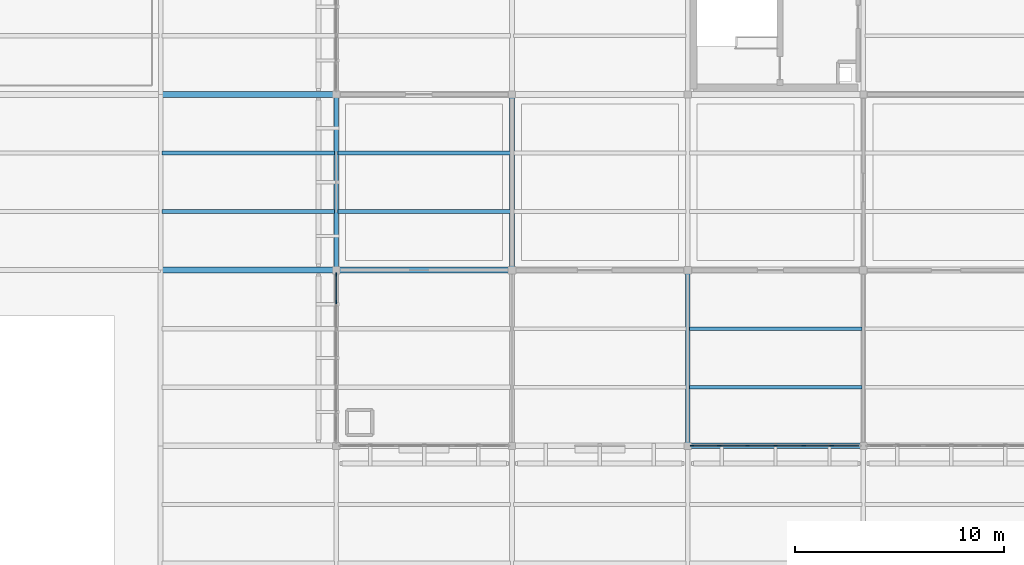
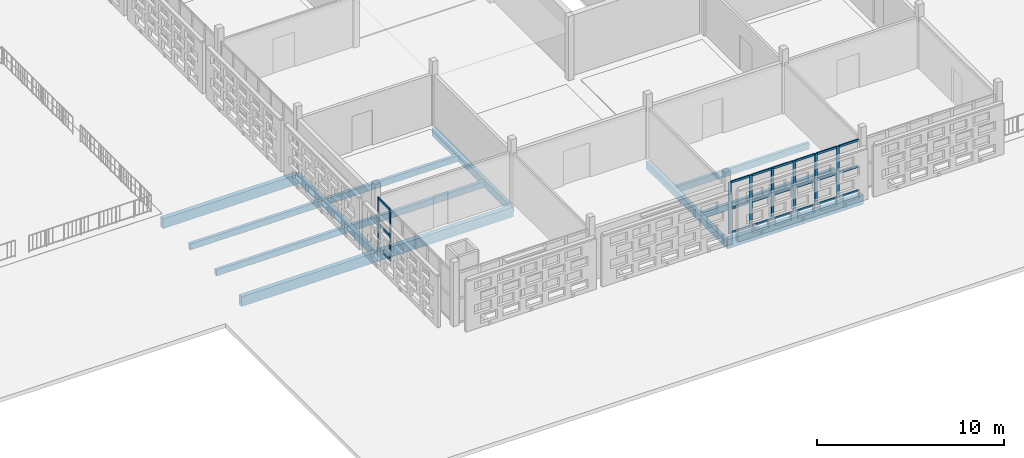
# One storey, part 57 of 166: 29 members, 13 beams, 2 elements without a shape of their own.
"""IFC4 building model written with IfcOpenShell, lengths in metres."""

from ifc_helpers import new_model, si_unit, direction, frame, origin, origin_2d, place, context, subcontext, project, spatial, rectangle, extrude, material, layer, layer_set, material_profile, profile_set, type_object, element, aggregate, save


model = new_model("IFC4")

# Units and contexts
model_context = context("Model", 3, precision=1e-05, world=origin(), true_north=direction((0.0, 1.0)))
body_context = subcontext(model_context, "Body", "Model", "MODEL_VIEW")
ifc_project = project(units=[si_unit("LENGTHUNIT", "METRE"), si_unit("AREAUNIT", "SQUARE_METRE"), si_unit("VOLUMEUNIT", "CUBIC_METRE"), si_unit("PLANEANGLEUNIT", "RADIAN"), si_unit("MASSUNIT", "GRAM", prefix="KILO")], contexts=[model_context])

# Site, building, storey
site_placement = place(None, origin())
site = spatial("IfcSite", under=ifc_project, at=site_placement, CompositionType="ELEMENT")
building_placement = place(site_placement, origin())
building = spatial("IfcBuilding", under=site, at=building_placement, Name="Varnapada Polytechnic", CompositionType="ELEMENT")
storey_placement = place(building_placement, frame((0.0, 0.0, 9.60009765625)))
storey = spatial("IfcBuildingStorey", under=building, at=storey_placement, Name="L02", CompositionType="ELEMENT", Elevation=9.60009765625)

# Beams
ifc_material_1 = material(Name="Glulam GL32h", Category="wood")
ifc_material_profile_1 = material_profile(ifc_material_1, rectangle(XDim=0.280029296875, YDim=0.639892578125, at=origin_2d()), Name="GL 280x640")
ifc_profile_set_1 = profile_set([ifc_material_profile_1], Name="Glulam GL32h")
beam_type_1 = type_object("IfcBeamType", Name="Laboratory primary glulam girder GG-02 (GL 280x640)", PredefinedType="BEAM", material=ifc_profile_set_1)
for number, where, z_axis, x_axis, name in (
    (1, (126.0, 16.800048828125, -0.590087890625), (1.0, 0.0, 0.0), (0.0, 1.0, 0.0), "L02 beam X 16-17 at Y3"),
    (2, (126.0, 25.199951171875, -0.590087890625), (1.0, 0.0, 0.0), (0.0, 1.0, 0.0), "L02 beam X 16-17 at Y4"),
):
    element("IfcBeam", number, at=place(storey_placement, frame(where, z_axis=z_axis, x_axis=x_axis)), inside=storey, type_object=beam_type_1, Name=name, PredefinedType="BEAM", context=body_context, shape_type="SweptSolid", body=[
        extrude(rectangle(XDim=0.280029296875, YDim=0.639892578125, at=origin_2d()), origin(), (0.0, 0.0, 1.0), 8.39990234375),
    ])
beam_1_placement = place(storey_placement, frame((134.39990234375, 16.800048828125, -0.590087890625), z_axis=(1.0, 0.0, 0.0), x_axis=(0.0, 1.0, 0.0)))
element("IfcBeam", 3, at=beam_1_placement, inside=storey, type_object=beam_type_1, Name="L02 beam X 17-18 at Y3", PredefinedType="BEAM", context=body_context, shape_type="SweptSolid", body=[
    extrude(rectangle(XDim=0.280029296875, YDim=0.639892578125, at=origin_2d()), origin(), (0.0, 0.0, 1.0), 8.400146484375),
])
ifc_material_profile_2 = material_profile(ifc_material_1, rectangle(XDim=0.199951171875, YDim=0.39990234375, at=origin_2d()), Name="GL 200x400")
ifc_profile_set_2 = profile_set([ifc_material_profile_2], Name="Glulam GL32h")
beam_type_2 = type_object("IfcBeamType", Name="Library/laboratory glulam floor joist GJ-01 (GL 200x400)", PredefinedType="JOIST", material=ifc_profile_set_2)
for number, where, z_axis, x_axis, name in (
    (4, (126.080078125, 19.60009765625, -0.47021484375), (1.0, 0.0, 0.0), (0.0, 1.0, 0.0), "L02 floor joist 16/3.1"),
    (5, (126.080078125, 22.39990234375, -0.47021484375), (1.0, 0.0, 0.0), (0.0, 1.0, 0.0), "L02 floor joist 16/3.2"),
    (6, (134.47998046875, 19.60009765625, -0.47021484375), (1.0, 0.0, 0.0), (0.0, 1.0, 0.0), "L02 floor joist 17/3.1"),
    (7, (134.47998046875, 22.39990234375, -0.47021484375), (1.0, 0.0, 0.0), (0.0, 1.0, 0.0), "L02 floor joist 17/3.2"),
):
    element("IfcBeam", number, at=place(storey_placement, frame(where, z_axis=z_axis, x_axis=x_axis)), inside=storey, type_object=beam_type_2, Name=name, PredefinedType="JOIST", context=body_context, shape_type="SweptSolid", body=[
        extrude(rectangle(XDim=0.199951171875, YDim=0.39990234375, at=origin_2d()), origin(), (0.0, 0.0, 1.0), 8.239990234375),
    ])

# Curtain wall, members
ifc_material_2 = material(Name="Double low-E laminated glass", Category="glass")
ifc_layer = layer(ifc_material_2, 0.179931640625)
ifc_layer_set = layer_set([ifc_layer], Name="Double low-E laminated glass")
curtain_wall_type = type_object("IfcCurtainWallType", Name="Curtain Wall CW-04", PredefinedType="NOTDEFINED", material=ifc_layer_set)
curtain_wall_1_placement = place(storey_placement, origin())
curtain_wall_1 = element("IfcCurtainWall", 8, at=curtain_wall_1_placement, inside=storey, type_object=curtain_wall_type, Name="L02 unitised curtain wall CW-04 (183)", PredefinedType="NOTDEFINED")
ifc_material_3 = material(Name="Anodised aluminium", Category="aluminium")
ifc_material_profile_3 = material_profile(ifc_material_3, rectangle(XDim=0.06494140625, YDim=0.179931640625, at=origin_2d()), Name="ALU M65x180")
ifc_profile_set_3 = profile_set([ifc_material_profile_3], Name="Anodised aluminium")
member_type_1 = type_object("IfcMemberType", Name="Mullion M-02", PredefinedType="MULLION", material=ifc_profile_set_3)
member_1_placement = place(storey_placement, frame((134.39990234375, 15.2783203125, 0.0), z_axis=(0.0, 0.0, 1.0), x_axis=(-1.0, 0.0, 0.0)))
member_1 = element("IfcMember", 9, at=member_1_placement, type_object=member_type_1, Name="CW-04 mullion 6", PredefinedType="MULLION", context=body_context, shape_type="SweptSolid", body=[
    extrude(rectangle(XDim=0.06494140625, YDim=0.179931640625, at=origin_2d()), origin(), (0.0, 0.0, 1.0), 3.35986328125),
])
member_2_placement = place(storey_placement, frame((134.39990234375, 16.58740234375, 0.0), z_axis=(0.0, 0.0, 1.0), x_axis=(-1.0, 0.0, 0.0)))
member_2 = element("IfcMember", 10, at=member_2_placement, type_object=member_type_1, Name="CW-04 mullion 7", PredefinedType="MULLION", context=body_context, shape_type="SweptSolid", body=[
    extrude(rectangle(XDim=0.06494140625, YDim=0.179931640625, at=origin_2d()), origin(), (0.0, 0.0, 1.0), 3.35986328125),
])

curtain_wall_2_placement = place(storey_placement, origin())
curtain_wall_2 = element("IfcCurtainWall", 11, at=curtain_wall_2_placement, inside=storey, type_object=curtain_wall_type, Name="L02 unitised curtain wall CW-04 (194)", PredefinedType="NOTDEFINED")
member_3_placement = place(storey_placement, frame((158.086669921875, 8.39990234375, 0.0), z_axis=(0.0, 0.0, 1.0), x_axis=(0.0, -1.0, 0.0)))
member_3 = element("IfcMember", 12, at=member_3_placement, type_object=member_type_1, Name="CW-04 mullion 2", PredefinedType="MULLION", context=body_context, shape_type="SweptSolid", body=[
    extrude(rectangle(XDim=0.06494140625, YDim=0.179931640625, at=origin_2d()), origin(), (0.0, 0.0, 1.0), 3.35986328125),
])
member_4_placement = place(storey_placement, frame((156.743408203125, 8.39990234375, 0.0), z_axis=(0.0, 0.0, 1.0), x_axis=(0.0, -1.0, 0.0)))
member_4 = element("IfcMember", 13, at=member_4_placement, type_object=member_type_1, Name="CW-04 mullion 3", PredefinedType="MULLION", context=body_context, shape_type="SweptSolid", body=[
    extrude(rectangle(XDim=0.06494140625, YDim=0.179931640625, at=origin_2d()), origin(), (0.0, 0.0, 1.0), 3.35986328125),
])
member_5_placement = place(storey_placement, frame((155.39990234375, 8.39990234375, 0.0), z_axis=(0.0, 0.0, 1.0), x_axis=(0.0, -1.0, 0.0)))
member_5 = element("IfcMember", 14, at=member_5_placement, type_object=member_type_1, Name="CW-04 mullion 4", PredefinedType="MULLION", context=body_context, shape_type="SweptSolid", body=[
    extrude(rectangle(XDim=0.06494140625, YDim=0.179931640625, at=origin_2d()), origin(), (0.0, 0.0, 1.0), 3.35986328125),
])
member_6_placement = place(storey_placement, frame((154.056640625, 8.39990234375, 0.0), z_axis=(0.0, 0.0, 1.0), x_axis=(0.0, -1.0, 0.0)))
member_6 = element("IfcMember", 15, at=member_6_placement, type_object=member_type_1, Name="CW-04 mullion 5", PredefinedType="MULLION", context=body_context, shape_type="SweptSolid", body=[
    extrude(rectangle(XDim=0.06494140625, YDim=0.179931640625, at=origin_2d()), origin(), (0.0, 0.0, 1.0), 3.35986328125),
])
member_7_placement = place(storey_placement, frame((152.71337890625, 8.39990234375, 0.0), z_axis=(0.0, 0.0, 1.0), x_axis=(0.0, -1.0, 0.0)))
member_7 = element("IfcMember", 16, at=member_7_placement, type_object=member_type_1, Name="CW-04 mullion 6", PredefinedType="MULLION", context=body_context, shape_type="SweptSolid", body=[
    extrude(rectangle(XDim=0.06494140625, YDim=0.179931640625, at=origin_2d()), origin(), (0.0, 0.0, 1.0), 3.35986328125),
])
member_8_placement = place(storey_placement, frame((151.402587890625, 8.39990234375, 0.0), z_axis=(0.0, 0.0, 1.0), x_axis=(0.0, -1.0, 0.0)))
member_8 = element("IfcMember", 17, at=member_8_placement, type_object=member_type_1, Name="CW-04 mullion 7", PredefinedType="MULLION", context=body_context, shape_type="SweptSolid", body=[
    extrude(rectangle(XDim=0.06494140625, YDim=0.179931640625, at=origin_2d()), origin(), (0.0, 0.0, 1.0), 3.35986328125),
])

# Beams
ifc_material_profile_4 = material_profile(ifc_material_1, rectangle(XDim=0.280029296875, YDim=0.60009765625, at=origin_2d()), Name="GL 280x600")
ifc_profile_set_4 = profile_set([ifc_material_profile_4], Name="Glulam GL32h")
beam_type_3 = type_object("IfcBeamType", Name="Reading hall glulam girder GG-08 (GL 280x600)", PredefinedType="BEAM", material=ifc_profile_set_4)
beam_2_placement = place(storey_placement, frame((151.199951171875, 8.39990234375, -0.570068359375), z_axis=(1.0, 0.0, 0.0), x_axis=(0.0, 1.0, 0.0)))
element("IfcBeam", 18, at=beam_2_placement, inside=storey, type_object=beam_type_3, Name="L02 beam X 19-20 at Y2", PredefinedType="BEAM", context=body_context, shape_type="SweptSolid", body=[
    extrude(rectangle(XDim=0.280029296875, YDim=0.60009765625, at=origin_2d()), origin(), (0.0, 0.0, 1.0), 8.400146484375),
])
ifc_material_profile_5 = material_profile(ifc_material_1, rectangle(XDim=0.179931640625, YDim=0.419921875, at=origin_2d()), Name="GL 180x420")
ifc_profile_set_5 = profile_set([ifc_material_profile_5], Name="Glulam GL32h")
beam_type_4 = type_object("IfcBeamType", Name="Reading hall glulam joist GJ-04 (GL 180x420)", PredefinedType="JOIST", material=ifc_profile_set_5)
for number, where, z_axis, x_axis, name in (
    (19, (151.280029296875, 11.199951171875, -0.460205078125), (1.0, 0.0, 0.0), (0.0, 1.0, 0.0), "L02 floor joist 19/2.1"),
    (20, (151.280029296875, 14.0, -0.460205078125), (1.0, 0.0, 0.0), (0.0, 1.0, 0.0), "L02 floor joist 19/2.2"),
):
    element("IfcBeam", number, at=place(storey_placement, frame(where, z_axis=z_axis, x_axis=x_axis)), inside=storey, type_object=beam_type_4, Name=name, PredefinedType="JOIST", context=body_context, shape_type="SweptSolid", body=[
        extrude(rectangle(XDim=0.179931640625, YDim=0.419921875, at=origin_2d()), origin(), (0.0, 0.0, 1.0), 8.239990234375),
    ])

# Member
ifc_material_profile_6 = material_profile(ifc_material_3, rectangle(XDim=0.06494140625, YDim=0.139892578125, at=origin_2d()), Name="ALU T65x140")
ifc_profile_set_6 = profile_set([ifc_material_profile_6], Name="Anodised aluminium")
member_type_2 = type_object("IfcMemberType", Name="Transom T-02", PredefinedType="USERDEFINED", material=ifc_profile_set_6)
member_9_placement = place(storey_placement, frame((134.39990234375, 15.310791015625, 0.032470703125), z_axis=(0.0, 1.0, 0.0), x_axis=(-1.0, 0.0, 0.0)))
member_9 = element("IfcMember", 21, at=member_9_placement, type_object=member_type_2, Name="CW-04 transom 6.1", ObjectType="TRANSOM", PredefinedType="USERDEFINED", context=body_context, shape_type="SweptSolid", body=[
    extrude(rectangle(XDim=0.06494140625, YDim=0.139892578125, at=origin_2d()), origin(), (0.0, 0.0, 1.0), 1.244140625),
])

member_10_placement = place(storey_placement, frame((134.39990234375, 15.310791015625, 1.61279296875), z_axis=(0.0, 1.0, 0.0), x_axis=(-1.0, 0.0, 0.0)))
member_10 = element("IfcMember", 22, at=member_10_placement, type_object=member_type_2, Name="CW-04 transom 6.2", ObjectType="TRANSOM", PredefinedType="USERDEFINED", context=body_context, shape_type="SweptSolid", body=[
    extrude(rectangle(XDim=0.06494140625, YDim=0.139892578125, at=origin_2d()), origin(), (0.0, 0.0, 1.0), 1.244140625),
])

member_11_placement = place(storey_placement, frame((134.39990234375, 15.310791015625, 3.327392578125), z_axis=(0.0, 1.0, 0.0), x_axis=(-1.0, 0.0, 0.0)))
member_11 = element("IfcMember", 23, at=member_11_placement, type_object=member_type_2, Name="CW-04 transom 6.3", ObjectType="TRANSOM", PredefinedType="USERDEFINED", context=body_context, shape_type="SweptSolid", body=[
    extrude(rectangle(XDim=0.06494140625, YDim=0.139892578125, at=origin_2d()), origin(), (0.0, 0.0, 1.0), 1.244140625),
])

aggregate(curtain_wall_1, [member_1, member_2, member_9, member_10, member_11])

member_12_placement = place(storey_placement, frame((159.364990234375, 8.39990234375, 0.032470703125), z_axis=(-1.0, 0.0, 0.0), x_axis=(0.0, -1.0, 0.0)))
member_12 = element("IfcMember", 24, at=member_12_placement, type_object=member_type_2, Name="CW-04 transom 1.1", ObjectType="TRANSOM", PredefinedType="USERDEFINED", context=body_context, shape_type="SweptSolid", body=[
    extrude(rectangle(XDim=0.06494140625, YDim=0.139892578125, at=origin_2d()), origin(), (0.0, 0.0, 1.0), 1.245849609375),
])

member_13_placement = place(storey_placement, frame((159.364990234375, 8.39990234375, 1.61279296875), z_axis=(-1.0, 0.0, 0.0), x_axis=(0.0, -1.0, 0.0)))
member_13 = element("IfcMember", 25, at=member_13_placement, type_object=member_type_2, Name="CW-04 transom 1.2", ObjectType="TRANSOM", PredefinedType="USERDEFINED", context=body_context, shape_type="SweptSolid", body=[
    extrude(rectangle(XDim=0.06494140625, YDim=0.139892578125, at=origin_2d()), origin(), (0.0, 0.0, 1.0), 1.245849609375),
])

member_14_placement = place(storey_placement, frame((159.364990234375, 8.39990234375, 3.327392578125), z_axis=(-1.0, 0.0, 0.0), x_axis=(0.0, -1.0, 0.0)))
member_14 = element("IfcMember", 26, at=member_14_placement, type_object=member_type_2, Name="CW-04 transom 1.3", ObjectType="TRANSOM", PredefinedType="USERDEFINED", context=body_context, shape_type="SweptSolid", body=[
    extrude(rectangle(XDim=0.06494140625, YDim=0.139892578125, at=origin_2d()), origin(), (0.0, 0.0, 1.0), 1.245849609375),
])

member_15_placement = place(storey_placement, frame((158.05419921875, 8.39990234375, 0.032470703125), z_axis=(-1.0, 0.0, 0.0), x_axis=(0.0, -1.0, 0.0)))
member_15 = element("IfcMember", 27, at=member_15_placement, type_object=member_type_2, Name="CW-04 transom 2.1", ObjectType="TRANSOM", PredefinedType="USERDEFINED", context=body_context, shape_type="SweptSolid", body=[
    extrude(rectangle(XDim=0.06494140625, YDim=0.139892578125, at=origin_2d()), origin(), (0.0, 0.0, 1.0), 1.2783203125),
])

member_16_placement = place(storey_placement, frame((158.05419921875, 8.39990234375, 1.61279296875), z_axis=(-1.0, 0.0, 0.0), x_axis=(0.0, -1.0, 0.0)))
member_16 = element("IfcMember", 28, at=member_16_placement, type_object=member_type_2, Name="CW-04 transom 2.2", ObjectType="TRANSOM", PredefinedType="USERDEFINED", context=body_context, shape_type="SweptSolid", body=[
    extrude(rectangle(XDim=0.06494140625, YDim=0.139892578125, at=origin_2d()), origin(), (0.0, 0.0, 1.0), 1.2783203125),
])

member_17_placement = place(storey_placement, frame((158.05419921875, 8.39990234375, 3.327392578125), z_axis=(-1.0, 0.0, 0.0), x_axis=(0.0, -1.0, 0.0)))
member_17 = element("IfcMember", 29, at=member_17_placement, type_object=member_type_2, Name="CW-04 transom 2.3", ObjectType="TRANSOM", PredefinedType="USERDEFINED", context=body_context, shape_type="SweptSolid", body=[
    extrude(rectangle(XDim=0.06494140625, YDim=0.139892578125, at=origin_2d()), origin(), (0.0, 0.0, 1.0), 1.2783203125),
])

member_18_placement = place(storey_placement, frame((156.7109375, 8.39990234375, 0.032470703125), z_axis=(-1.0, 0.0, 0.0), x_axis=(0.0, -1.0, 0.0)))
member_18 = element("IfcMember", 30, at=member_18_placement, type_object=member_type_2, Name="CW-04 transom 3.1", ObjectType="TRANSOM", PredefinedType="USERDEFINED", context=body_context, shape_type="SweptSolid", body=[
    extrude(rectangle(XDim=0.06494140625, YDim=0.139892578125, at=origin_2d()), origin(), (0.0, 0.0, 1.0), 1.2783203125),
])

member_19_placement = place(storey_placement, frame((156.7109375, 8.39990234375, 1.61279296875), z_axis=(-1.0, 0.0, 0.0), x_axis=(0.0, -1.0, 0.0)))
member_19 = element("IfcMember", 31, at=member_19_placement, type_object=member_type_2, Name="CW-04 transom 3.2", ObjectType="TRANSOM", PredefinedType="USERDEFINED", context=body_context, shape_type="SweptSolid", body=[
    extrude(rectangle(XDim=0.06494140625, YDim=0.139892578125, at=origin_2d()), origin(), (0.0, 0.0, 1.0), 1.2783203125),
])

member_20_placement = place(storey_placement, frame((156.7109375, 8.39990234375, 3.327392578125), z_axis=(-1.0, 0.0, 0.0), x_axis=(0.0, -1.0, 0.0)))
member_20 = element("IfcMember", 32, at=member_20_placement, type_object=member_type_2, Name="CW-04 transom 3.3", ObjectType="TRANSOM", PredefinedType="USERDEFINED", context=body_context, shape_type="SweptSolid", body=[
    extrude(rectangle(XDim=0.06494140625, YDim=0.139892578125, at=origin_2d()), origin(), (0.0, 0.0, 1.0), 1.2783203125),
])

member_21_placement = place(storey_placement, frame((155.367431640625, 8.39990234375, 0.032470703125), z_axis=(-1.0, 0.0, 0.0), x_axis=(0.0, -1.0, 0.0)))
member_21 = element("IfcMember", 33, at=member_21_placement, type_object=member_type_2, Name="CW-04 transom 4.1", ObjectType="TRANSOM", PredefinedType="USERDEFINED", context=body_context, shape_type="SweptSolid", body=[
    extrude(rectangle(XDim=0.06494140625, YDim=0.139892578125, at=origin_2d()), origin(), (0.0, 0.0, 1.0), 1.2783203125),
])

member_22_placement = place(storey_placement, frame((155.367431640625, 8.39990234375, 1.61279296875), z_axis=(-1.0, 0.0, 0.0), x_axis=(0.0, -1.0, 0.0)))
member_22 = element("IfcMember", 34, at=member_22_placement, type_object=member_type_2, Name="CW-04 transom 4.2", ObjectType="TRANSOM", PredefinedType="USERDEFINED", context=body_context, shape_type="SweptSolid", body=[
    extrude(rectangle(XDim=0.06494140625, YDim=0.139892578125, at=origin_2d()), origin(), (0.0, 0.0, 1.0), 1.2783203125),
])

member_23_placement = place(storey_placement, frame((155.367431640625, 8.39990234375, 3.327392578125), z_axis=(-1.0, 0.0, 0.0), x_axis=(0.0, -1.0, 0.0)))
member_23 = element("IfcMember", 35, at=member_23_placement, type_object=member_type_2, Name="CW-04 transom 4.3", ObjectType="TRANSOM", PredefinedType="USERDEFINED", context=body_context, shape_type="SweptSolid", body=[
    extrude(rectangle(XDim=0.06494140625, YDim=0.139892578125, at=origin_2d()), origin(), (0.0, 0.0, 1.0), 1.2783203125),
])

member_24_placement = place(storey_placement, frame((154.024169921875, 8.39990234375, 0.032470703125), z_axis=(-1.0, 0.0, 0.0), x_axis=(0.0, -1.0, 0.0)))
member_24 = element("IfcMember", 36, at=member_24_placement, type_object=member_type_2, Name="CW-04 transom 5.1", ObjectType="TRANSOM", PredefinedType="USERDEFINED", context=body_context, shape_type="SweptSolid", body=[
    extrude(rectangle(XDim=0.06494140625, YDim=0.139892578125, at=origin_2d()), origin(), (0.0, 0.0, 1.0), 1.2783203125),
])

member_25_placement = place(storey_placement, frame((154.024169921875, 8.39990234375, 1.61279296875), z_axis=(-1.0, 0.0, 0.0), x_axis=(0.0, -1.0, 0.0)))
member_25 = element("IfcMember", 37, at=member_25_placement, type_object=member_type_2, Name="CW-04 transom 5.2", ObjectType="TRANSOM", PredefinedType="USERDEFINED", context=body_context, shape_type="SweptSolid", body=[
    extrude(rectangle(XDim=0.06494140625, YDim=0.139892578125, at=origin_2d()), origin(), (0.0, 0.0, 1.0), 1.2783203125),
])

member_26_placement = place(storey_placement, frame((154.024169921875, 8.39990234375, 3.327392578125), z_axis=(-1.0, 0.0, 0.0), x_axis=(0.0, -1.0, 0.0)))
member_26 = element("IfcMember", 38, at=member_26_placement, type_object=member_type_2, Name="CW-04 transom 5.3", ObjectType="TRANSOM", PredefinedType="USERDEFINED", context=body_context, shape_type="SweptSolid", body=[
    extrude(rectangle(XDim=0.06494140625, YDim=0.139892578125, at=origin_2d()), origin(), (0.0, 0.0, 1.0), 1.2783203125),
])

member_27_placement = place(storey_placement, frame((152.680908203125, 8.39990234375, 0.032470703125), z_axis=(-1.0, 0.0, 0.0), x_axis=(0.0, -1.0, 0.0)))
member_27 = element("IfcMember", 39, at=member_27_placement, type_object=member_type_2, Name="CW-04 transom 6.1", ObjectType="TRANSOM", PredefinedType="USERDEFINED", context=body_context, shape_type="SweptSolid", body=[
    extrude(rectangle(XDim=0.06494140625, YDim=0.139892578125, at=origin_2d()), origin(), (0.0, 0.0, 1.0), 1.245849609375),
])

member_28_placement = place(storey_placement, frame((152.680908203125, 8.39990234375, 1.61279296875), z_axis=(-1.0, 0.0, 0.0), x_axis=(0.0, -1.0, 0.0)))
member_28 = element("IfcMember", 40, at=member_28_placement, type_object=member_type_2, Name="CW-04 transom 6.2", ObjectType="TRANSOM", PredefinedType="USERDEFINED", context=body_context, shape_type="SweptSolid", body=[
    extrude(rectangle(XDim=0.06494140625, YDim=0.139892578125, at=origin_2d()), origin(), (0.0, 0.0, 1.0), 1.245849609375),
])

member_29_placement = place(storey_placement, frame((152.680908203125, 8.39990234375, 3.327392578125), z_axis=(-1.0, 0.0, 0.0), x_axis=(0.0, -1.0, 0.0)))
member_29 = element("IfcMember", 41, at=member_29_placement, type_object=member_type_2, Name="CW-04 transom 6.3", ObjectType="TRANSOM", PredefinedType="USERDEFINED", context=body_context, shape_type="SweptSolid", body=[
    extrude(rectangle(XDim=0.06494140625, YDim=0.139892578125, at=origin_2d()), origin(), (0.0, 0.0, 1.0), 1.245849609375),
])

aggregate(curtain_wall_2, [member_3, member_4, member_5, member_6, member_7, member_8, member_12, member_13, member_14, member_15, member_16, member_17, member_18, member_19, member_20, member_21, member_22, member_23, member_24, member_25, member_26, member_27, member_28, member_29])

# Beams
ifc_material_profile_7 = material_profile(ifc_material_1, rectangle(XDim=0.219970703125, YDim=0.47998046875, at=origin_2d()), Name="GL 220x480")
ifc_profile_set_7 = profile_set([ifc_material_profile_7], Name="Glulam GL32h")
beam_type_5 = type_object("IfcBeamType", Name="Upper floor glulam tie beam GB-11 (GL 220x480)", PredefinedType="BEAM", material=ifc_profile_set_7)
for number, where, z_axis, x_axis, name in (
    (42, (134.39990234375, 16.800048828125, -0.510009765625), (0.0, 1.0, 0.0), (-1.0, 0.0, 0.0), "L02 beam Y 3-4 at X17"),
    (43, (142.800048828125, 16.800048828125, -0.489990234375), (0.0, 1.0, 0.0), (-1.0, 0.0, 0.0), "L02 beam Y 3-4 at X18"),
):
    element("IfcBeam", number, at=place(storey_placement, frame(where, z_axis=z_axis, x_axis=x_axis)), inside=storey, type_object=beam_type_5, Name=name, PredefinedType="BEAM", context=body_context, shape_type="SweptSolid", body=[
        extrude(rectangle(XDim=0.219970703125, YDim=0.47998046875, at=origin_2d()), origin(), (0.0, 0.0, 1.0), 8.39990234375),
    ])
beam_3_placement = place(storey_placement, frame((151.199951171875, 8.39990234375, -0.510009765625), z_axis=(0.0, 1.0, 0.0), x_axis=(-1.0, 0.0, 0.0)))
element("IfcBeam", 44, at=beam_3_placement, inside=storey, type_object=beam_type_5, Name="L02 beam Y 2-3 at X19", PredefinedType="BEAM", context=body_context, shape_type="SweptSolid", body=[
    extrude(rectangle(XDim=0.219970703125, YDim=0.47998046875, at=origin_2d()), origin(), (0.0, 0.0, 1.0), 8.400146484375),
])

save(model, "model.ifc")
